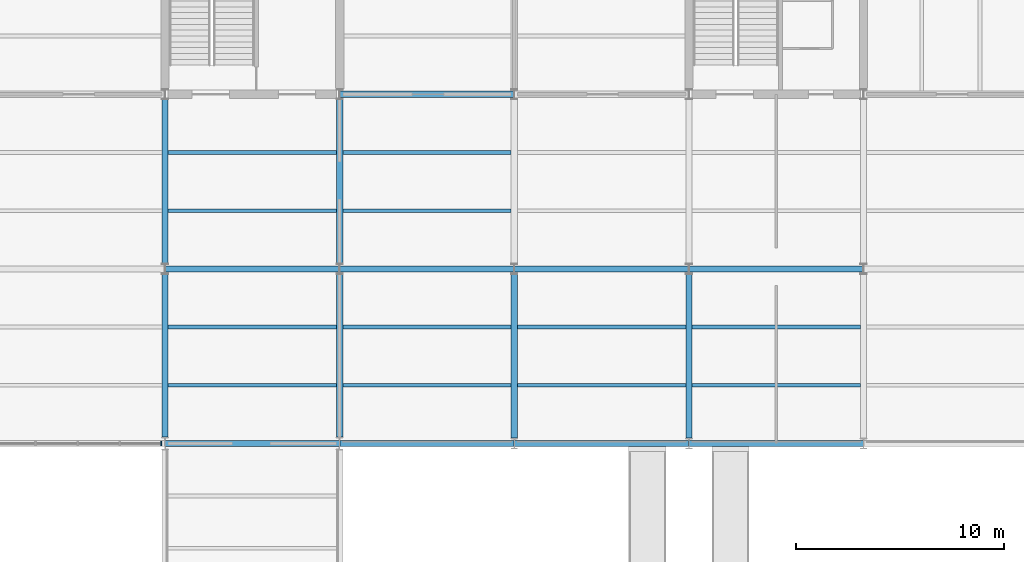
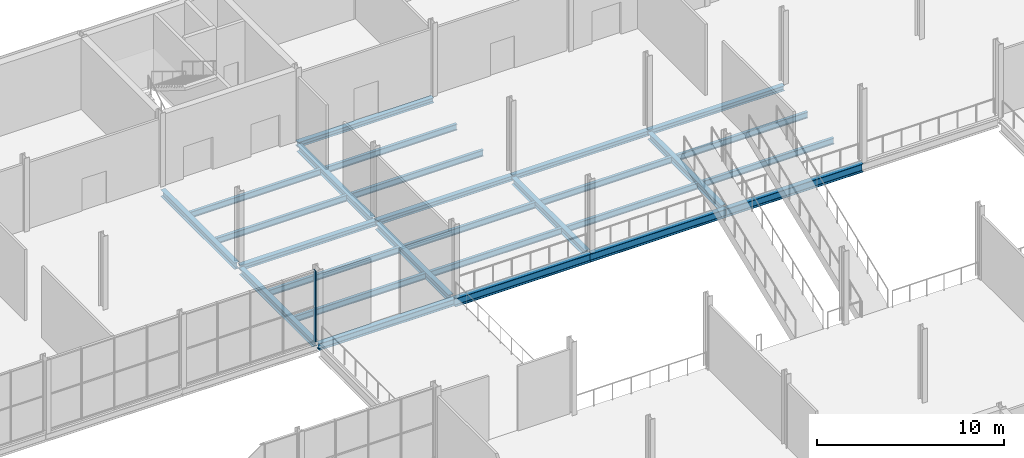
# One storey, part 18 of 61: 27 beams, 1 member, 1 element without a shape of its own.
"""IFC4 building model written with IfcOpenShell, lengths in metres."""

from ifc_helpers import new_model, si_unit, direction, frame, origin, origin_2d, place, context, subcontext, project, spatial, rectangle, i_section, extrude, material, layer, layer_set, material_profile, profile_set, type_object, element, aggregate, save


model = new_model("IFC4")

# Units and contexts
model_context = context("Model", 3, precision=1e-05, world=origin(), true_north=direction((0.0, 1.0)))
body_context = subcontext(model_context, "Body", "Model", "MODEL_VIEW")
ifc_project = project(units=[si_unit("LENGTHUNIT", "METRE"), si_unit("AREAUNIT", "SQUARE_METRE"), si_unit("VOLUMEUNIT", "CUBIC_METRE"), si_unit("PLANEANGLEUNIT", "RADIAN"), si_unit("MASSUNIT", "GRAM", prefix="KILO")], contexts=[model_context])

# Site, building, storey
site_placement = place(None, origin())
site = spatial("IfcSite", under=ifc_project, at=site_placement, CompositionType="ELEMENT")
building_placement = place(site_placement, origin())
building = spatial("IfcBuilding", under=site, at=building_placement, Name="Galleria Vessillo Department Store", CompositionType="ELEMENT")
storey_placement = place(building_placement, frame((0.0, 0.0, 11.39990234375)))
storey = spatial("IfcBuildingStorey", under=building, at=storey_placement, Name="L02", CompositionType="ELEMENT", Elevation=11.39990234375)

# Curtain wall, member
ifc_material_1 = material(Name="Aluminium and glass curtain wall", Category="aluminium")
ifc_layer = layer(ifc_material_1, 0.199951171875)
ifc_layer_set = layer_set([ifc_layer], Name="Aluminium and glass curtain wall")
curtain_wall_type = type_object("IfcCurtainWallType", Name="Arcade curtain wall CW1 2100 module", PredefinedType="NOTDEFINED", material=ifc_layer_set)
curtain_wall_placement = place(storey_placement, origin())
curtain_wall = element("IfcCurtainWall", 1, at=curtain_wall_placement, inside=storey, type_object=curtain_wall_type, Name="Arcade curtain wall CW1 2100 module AI-AW-N-L02-02", PredefinedType="NOTDEFINED")
ifc_material_2 = material(Name="Aluminium alloy 6063 T6", Category="aluminium")
ifc_material_profile_1 = material_profile(ifc_material_2, rectangle(XDim=0.199951171875, YDim=0.06005859375, at=origin_2d()), Name="AL 60x200")
ifc_profile_set_1 = profile_set([ifc_material_profile_1], Name="Aluminium alloy 6063 T6")
member_type = type_object("IfcMemberType", Name="Aluminium mullion 60 x 200", PredefinedType="MULLION", material=ifc_profile_set_1)
member_placement = place(storey_placement, frame((33.41748046875, 37.800048828125, 0.0), z_axis=(0.0, 0.0, 1.0), x_axis=(0.0, 1.0, 0.0)))
member = element("IfcMember", 2, at=member_placement, type_object=member_type, Name="CW1 mullion 5", PredefinedType="MULLION", context=body_context, shape_type="SweptSolid", body=[
    extrude(rectangle(XDim=0.199951171875, YDim=0.06005859375, at=origin_2d()), origin(), (0.0, 0.0, 1.0), 4.650146484375),
])
aggregate(curtain_wall, [member])

# Beams
ifc_material_3 = material(Name="Steel S355 J2", Category="steel")
ifc_material_profile_2 = material_profile(ifc_material_3, i_section(OverallWidth=0.300048828125, OverallDepth=0.43994140625, WebThickness=0.011474609375, FlangeThickness=0.02099609375, FilletRadius=0.027099609375, at=origin_2d()), Name="HEA 450")
ifc_profile_set_2 = profile_set([ifc_material_profile_2], Name="Steel S355 J2")
beam_type_1 = type_object("IfcBeamType", Name="Bridge girder HEA 450", PredefinedType="BEAM", material=ifc_profile_set_2)
beam_1_placement = place(storey_placement, frame((33.610595703125, 37.800048828125, -0.369873046875), z_axis=(1.0, 0.0, 0.0), x_axis=(0.0, 1.0, 0.0)))
element("IfcBeam", 3, at=beam_1_placement, inside=storey, type_object=beam_type_1, Name="S-BM-L02-BR-x37800-33611", PredefinedType="BEAM", context=body_context, shape_type="SweptSolid", body=[
    extrude(i_section(OverallWidth=0.300048828125, OverallDepth=0.43994140625, WebThickness=0.011474609375, FlangeThickness=0.02099609375, FilletRadius=0.027099609375, at=origin_2d()), origin(), (0.0, 0.0, 1.0), 8.378662109375),
])
ifc_material_4 = material(Name="Steel S355 J2", Category="steel")
ifc_material_profile_3 = material_profile(ifc_material_4, i_section(OverallWidth=0.300048828125, OverallDepth=0.43994140625, WebThickness=0.011474609375, FlangeThickness=0.02099609375, FilletRadius=0.027099609375, at=origin_2d()), Name="HEA 450")
ifc_profile_set_3 = profile_set([ifc_material_profile_3], Name="Steel S355 J2")
beam_type_2 = type_object("IfcBeamType", Name="Floor girder HEA 450", PredefinedType="BEAM", material=ifc_profile_set_3)
beam_2_placement = place(storey_placement, frame((33.60009765625, 38.110107421875, -0.369873046875), z_axis=(0.0, 1.0, 0.0), x_axis=(-1.0, 0.0, 0.0)))
element("IfcBeam", 4, at=beam_2_placement, inside=storey, type_object=beam_type_2, Name="S-BM-L02-GI-y33600-38110", PredefinedType="BEAM", context=body_context, shape_type="SweptSolid", body=[
    extrude(i_section(OverallWidth=0.300048828125, OverallDepth=0.43994140625, WebThickness=0.011474609375, FlangeThickness=0.02099609375, FilletRadius=0.027099609375, at=origin_2d()), origin(), (0.0, 0.0, 1.0), 7.83984375),
])
beam_3_placement = place(storey_placement, frame((33.60009765625, 46.4501953125, -0.369873046875), z_axis=(0.0, 1.0, 0.0), x_axis=(-1.0, 0.0, 0.0)))
element("IfcBeam", 5, at=beam_3_placement, inside=storey, type_object=beam_type_2, Name="S-BM-L02-GI-y33600-46450", PredefinedType="BEAM", context=body_context, shape_type="SweptSolid", body=[
    extrude(i_section(OverallWidth=0.300048828125, OverallDepth=0.43994140625, WebThickness=0.011474609375, FlangeThickness=0.02099609375, FilletRadius=0.027099609375, at=origin_2d()), origin(), (0.0, 0.0, 1.0), 7.899658203125),
])
beam_4_placement = place(storey_placement, frame((42.0, 38.110107421875, -0.369873046875), z_axis=(0.0, 1.0, 0.0), x_axis=(-1.0, 0.0, 0.0)))
element("IfcBeam", 6, at=beam_4_placement, inside=storey, type_object=beam_type_2, Name="S-BM-L02-GI-y42000-38110", PredefinedType="BEAM", context=body_context, shape_type="SweptSolid", body=[
    extrude(i_section(OverallWidth=0.300048828125, OverallDepth=0.43994140625, WebThickness=0.011474609375, FlangeThickness=0.02099609375, FilletRadius=0.027099609375, at=origin_2d()), origin(), (0.0, 0.0, 1.0), 7.83984375),
])
beam_5_placement = place(storey_placement, frame((42.0, 46.4501953125, -0.369873046875), z_axis=(0.0, 1.0, 0.0), x_axis=(-1.0, 0.0, 0.0)))
element("IfcBeam", 7, at=beam_5_placement, inside=storey, type_object=beam_type_2, Name="S-BM-L02-GI-y42000-46450", PredefinedType="BEAM", context=body_context, shape_type="SweptSolid", body=[
    extrude(i_section(OverallWidth=0.300048828125, OverallDepth=0.43994140625, WebThickness=0.011474609375, FlangeThickness=0.02099609375, FilletRadius=0.027099609375, at=origin_2d()), origin(), (0.0, 0.0, 1.0), 7.899658203125),
])
for number, where, z_axis, x_axis, name in (
    (8, (50.39990234375, 38.06201171875, -0.369873046875), (0.0, 1.0, 0.0), (-1.0, 0.0, 0.0), "S-BM-L02-GI-y50400-38062"),
    (9, (58.800048828125, 38.06201171875, -0.369873046875), (0.0, 1.0, 0.0), (-1.0, 0.0, 0.0), "S-BM-L02-GI-y58800-38062"),
):
    element("IfcBeam", number, at=place(storey_placement, frame(where, z_axis=z_axis, x_axis=x_axis)), inside=storey, type_object=beam_type_2, Name=name, PredefinedType="BEAM", context=body_context, shape_type="SweptSolid", body=[
        extrude(i_section(OverallWidth=0.300048828125, OverallDepth=0.43994140625, WebThickness=0.011474609375, FlangeThickness=0.02099609375, FilletRadius=0.027099609375, at=origin_2d()), origin(), (0.0, 0.0, 1.0), 7.887939453125),
    ])
ifc_material_5 = material(Name="Steel S355 J2", Category="steel")
ifc_material_profile_4 = material_profile(ifc_material_5, i_section(OverallWidth=0.179931640625, OverallDepth=0.39990234375, WebThickness=0.008544921875, FlangeThickness=0.013427734375, FilletRadius=0.02099609375, at=origin_2d()), Name="IPE 400")
ifc_profile_set_4 = profile_set([ifc_material_profile_4], Name="Steel S355 J2")
beam_type_3 = type_object("IfcBeamType", Name="Floor joist IPE 400", PredefinedType="JOIST", material=ifc_profile_set_4)
for number, where, z_axis, x_axis, name in (
    (10, (33.750244140625, 40.60009765625, -0.349853515625), (1.0, 0.0, 0.0), (0.0, 1.0, 0.0), "S-BM-L02-JO-x40600-33750"),
    (11, (33.750244140625, 43.39990234375, -0.349853515625), (1.0, 0.0, 0.0), (0.0, 1.0, 0.0), "S-BM-L02-JO-x43400-33750"),
    (12, (33.750244140625, 49.0, -0.349853515625), (1.0, 0.0, 0.0), (0.0, 1.0, 0.0), "S-BM-L02-JO-x49000-33750"),
    (13, (33.750244140625, 51.800048828125, -0.349853515625), (1.0, 0.0, 0.0), (0.0, 1.0, 0.0), "S-BM-L02-JO-x51800-33750"),
    (14, (42.150146484375, 40.60009765625, -0.349853515625), (1.0, 0.0, 0.0), (0.0, 1.0, 0.0), "S-BM-L02-JO-x40600-42150"),
    (15, (42.150146484375, 43.39990234375, -0.349853515625), (1.0, 0.0, 0.0), (0.0, 1.0, 0.0), "S-BM-L02-JO-x43400-42150"),
    (16, (42.150146484375, 49.0, -0.349853515625), (1.0, 0.0, 0.0), (0.0, 1.0, 0.0), "S-BM-L02-JO-x49000-42150"),
    (17, (42.150146484375, 51.800048828125, -0.349853515625), (1.0, 0.0, 0.0), (0.0, 1.0, 0.0), "S-BM-L02-JO-x51800-42150"),
):
    element("IfcBeam", number, at=place(storey_placement, frame(where, z_axis=z_axis, x_axis=x_axis)), inside=storey, type_object=beam_type_3, Name=name, PredefinedType="JOIST", context=body_context, shape_type="SweptSolid", body=[
        extrude(i_section(OverallWidth=0.179931640625, OverallDepth=0.39990234375, WebThickness=0.008544921875, FlangeThickness=0.013427734375, FilletRadius=0.02099609375, at=origin_2d()), origin(), (0.0, 0.0, 1.0), 8.099609375),
    ])
for number, where, z_axis, x_axis, name in (
    (18, (50.550048828125, 40.60009765625, -0.349853515625), (1.0, 0.0, 0.0), (0.0, 1.0, 0.0), "S-BM-L02-JO-x40600-50550"),
    (19, (50.550048828125, 43.39990234375, -0.349853515625), (1.0, 0.0, 0.0), (0.0, 1.0, 0.0), "S-BM-L02-JO-x43400-50550"),
):
    element("IfcBeam", number, at=place(storey_placement, frame(where, z_axis=z_axis, x_axis=x_axis)), inside=storey, type_object=beam_type_3, Name=name, PredefinedType="JOIST", context=body_context, shape_type="SweptSolid", body=[
        extrude(i_section(OverallWidth=0.179931640625, OverallDepth=0.39990234375, WebThickness=0.008544921875, FlangeThickness=0.013427734375, FilletRadius=0.02099609375, at=origin_2d()), origin(), (0.0, 0.0, 1.0), 8.099853515625),
    ])
for number, where, z_axis, x_axis, name in (
    (20, (58.9501953125, 40.60009765625, -0.349853515625), (1.0, 0.0, 0.0), (0.0, 1.0, 0.0), "S-BM-L02-JO-x40600-58950"),
    (21, (58.9501953125, 43.39990234375, -0.349853515625), (1.0, 0.0, 0.0), (0.0, 1.0, 0.0), "S-BM-L02-JO-x43400-58950"),
):
    element("IfcBeam", number, at=place(storey_placement, frame(where, z_axis=z_axis, x_axis=x_axis)), inside=storey, type_object=beam_type_3, Name=name, PredefinedType="JOIST", context=body_context, shape_type="SweptSolid", body=[
        extrude(i_section(OverallWidth=0.179931640625, OverallDepth=0.39990234375, WebThickness=0.008544921875, FlangeThickness=0.013427734375, FilletRadius=0.02099609375, at=origin_2d()), origin(), (0.0, 0.0, 1.0), 8.099609375),
    ])
ifc_material_6 = material(Name="Steel S355 J2", Category="steel")
ifc_material_profile_5 = material_profile(ifc_material_6, i_section(OverallWidth=0.300048828125, OverallDepth=0.330078125, WebThickness=0.009521484375, FlangeThickness=0.0166015625, FilletRadius=0.027099609375, at=origin_2d()), Name="HEA 340")
ifc_profile_set_5 = profile_set([ifc_material_profile_5], Name="Steel S355 J2")
beam_type_4 = type_object("IfcBeamType", Name="Floor tie girder HEA 340", PredefinedType="BEAM", material=ifc_profile_set_5)
for number, where, z_axis, x_axis, name in (
    (22, (33.607421875, 46.199951171875, -0.31494140625), (1.0, 0.0, 0.0), (0.0, 1.0, 0.0), "S-BM-L02-TI-x46200-33607"),
    (23, (42.00732421875, 46.199951171875, -0.31494140625), (1.0, 0.0, 0.0), (0.0, 1.0, 0.0), "S-BM-L02-TI-x46200-42007"),
    (24, (50.407470703125, 46.199951171875, -0.31494140625), (1.0, 0.0, 0.0), (0.0, 1.0, 0.0), "S-BM-L02-TI-x46200-50407"),
    (25, (58.807373046875, 46.199951171875, -0.31494140625), (1.0, 0.0, 0.0), (0.0, 1.0, 0.0), "S-BM-L02-TI-x46200-58807"),
    (26, (42.00732421875, 54.60009765625, -0.31494140625), (1.0, 0.0, 0.0), (0.0, 1.0, 0.0), "S-BM-L02-TI-x54600-42007"),
):
    element("IfcBeam", number, at=place(storey_placement, frame(where, z_axis=z_axis, x_axis=x_axis)), inside=storey, type_object=beam_type_4, Name=name, PredefinedType="BEAM", context=body_context, shape_type="SweptSolid", body=[
        extrude(i_section(OverallWidth=0.300048828125, OverallDepth=0.330078125, WebThickness=0.009521484375, FlangeThickness=0.0166015625, FilletRadius=0.027099609375, at=origin_2d()), origin(), (0.0, 0.0, 1.0), 8.38525390625),
    ])
ifc_material_7 = material(Name="Steel S355 J2", Category="steel")
ifc_material_profile_6 = material_profile(ifc_material_7, i_section(OverallWidth=0.300048828125, OverallDepth=0.5400390625, WebThickness=0.012451171875, FlangeThickness=0.02392578125, FilletRadius=0.027099609375, at=origin_2d()), Name="HEA 550")
ifc_profile_set_6 = profile_set([ifc_material_profile_6], Name="Steel S355 J2")
beam_type_5 = type_object("IfcBeamType", Name="Trimmer beam HEA 550", PredefinedType="BEAM", material=ifc_profile_set_6)
for number, where, z_axis, x_axis, name in (
    (27, (42.0107421875, 37.800048828125, -0.419921875), (1.0, 0.0, 0.0), (0.0, 1.0, 0.0), "S-BM-L02-TR-x37800-42011"),
    (28, (50.41064453125, 37.800048828125, -0.419921875), (1.0, 0.0, 0.0), (0.0, 1.0, 0.0), "S-BM-L02-TR-x37800-50411"),
):
    element("IfcBeam", number, at=place(storey_placement, frame(where, z_axis=z_axis, x_axis=x_axis)), inside=storey, type_object=beam_type_5, Name=name, PredefinedType="BEAM", context=body_context, shape_type="SweptSolid", body=[
        extrude(i_section(OverallWidth=0.300048828125, OverallDepth=0.5400390625, WebThickness=0.012451171875, FlangeThickness=0.02392578125, FilletRadius=0.027099609375, at=origin_2d()), origin(), (0.0, 0.0, 1.0), 8.378662109375),
    ])
beam_6_placement = place(storey_placement, frame((58.810546875, 37.800048828125, -0.419921875), z_axis=(1.0, 0.0, 0.0), x_axis=(0.0, 1.0, 0.0)))
element("IfcBeam", 29, at=beam_6_placement, inside=storey, type_object=beam_type_5, Name="S-BM-L02-TR-x37800-58811", PredefinedType="BEAM", context=body_context, shape_type="SweptSolid", body=[
    extrude(i_section(OverallWidth=0.300048828125, OverallDepth=0.5400390625, WebThickness=0.012451171875, FlangeThickness=0.02392578125, FilletRadius=0.027099609375, at=origin_2d()), origin(), (0.0, 0.0, 1.0), 8.37890625),
])

save(model, "model.ifc")
